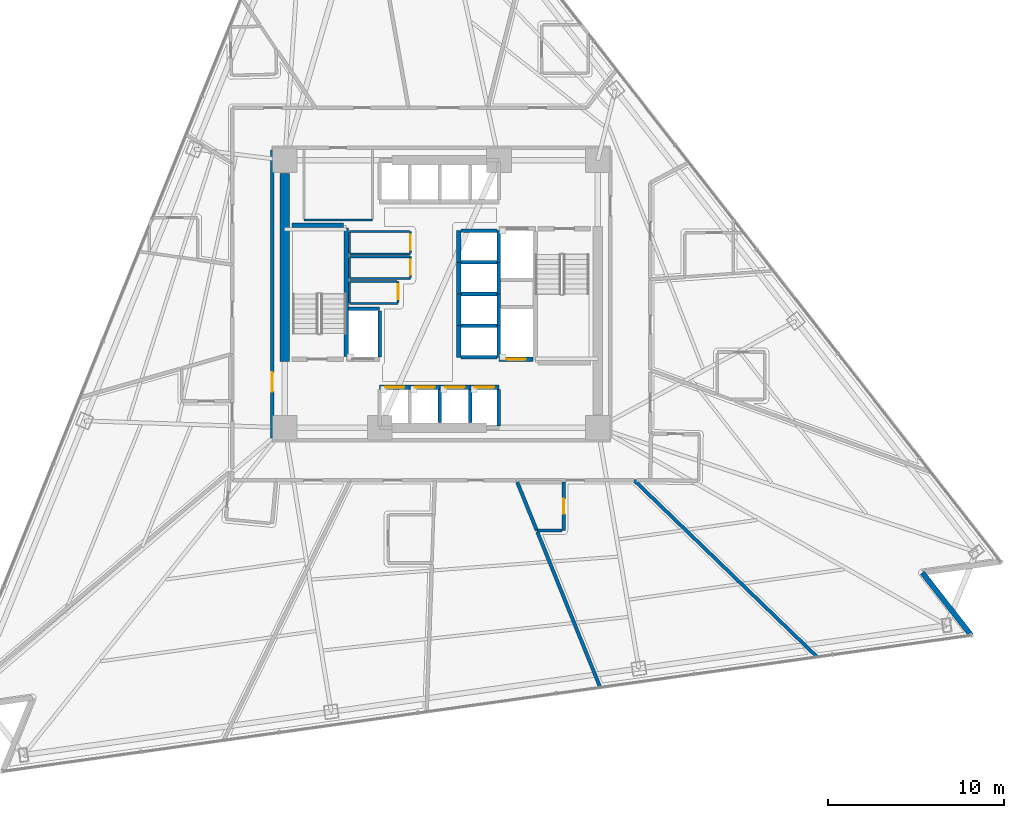
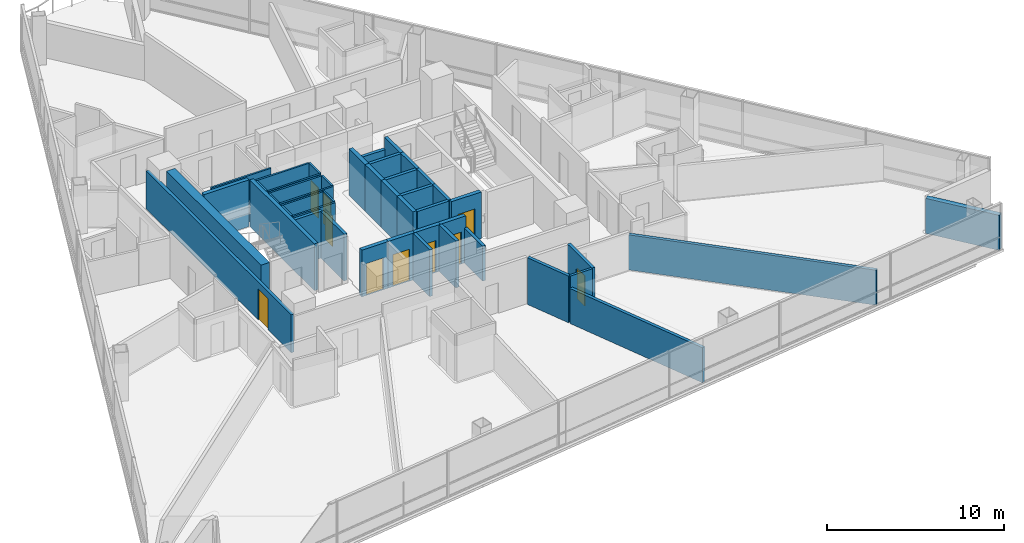
# One storey, part 8 of 15: 46 walls, 10 doors, 10 openings.
"""IFC4 building model written with IfcOpenShell, lengths in metres."""

from ifc_helpers import new_model, si_unit, direction, frame, frame_2d, origin, place, context, subcontext, project, spatial, rectangle, extrude, material, layer, layer_set, type_object, element, fill, save


model = new_model("IFC4")

# Units and contexts
model_context = context("Model", 3, precision=1e-05, world=origin(), true_north=direction((0.0, 1.0)))
body_context = subcontext(model_context, "Body", "Model", "MODEL_VIEW")
ifc_project = project(units=[si_unit("LENGTHUNIT", "METRE"), si_unit("AREAUNIT", "SQUARE_METRE"), si_unit("VOLUMEUNIT", "CUBIC_METRE"), si_unit("PLANEANGLEUNIT", "RADIAN"), si_unit("MASSUNIT", "GRAM", prefix="KILO")], contexts=[model_context])

# Site, building, storey
site_placement = place(None, origin())
site = spatial("IfcSite", under=ifc_project, at=site_placement, CompositionType="ELEMENT")
building_placement = place(site_placement, origin())
building = spatial("IfcBuilding", under=site, at=building_placement, Name="Tharavind Bronze Gate", CompositionType="ELEMENT")
storey_placement = place(building_placement, frame((0.0, 0.0, 60.449951171875)))
storey = spatial("IfcBuildingStorey", under=building, at=storey_placement, Name="L14", CompositionType="ELEMENT", Elevation=60.449951171875)

# Wall
ifc_material_1 = material(Name="Concrete C40/50", Category="concrete")
ifc_layer_1 = layer(ifc_material_1, 0.300048828125)
ifc_layer_set_1 = layer_set([ifc_layer_1], Name="Concrete C40/50")
wall_type_1 = type_object("IfcWallType", Name="EXTERIOR SPANDREL WALL 300", PredefinedType="STANDARD", material=ifc_layer_set_1)
wall_1_placement = place(storey_placement, frame((30.127685546875, -19.399169921875, 0.0), z_axis=(0.0, 0.0, 1.0), x_axis=(-0.615621932091, 0.78804164657, 0.0)))
element("IfcWall", 1, at=wall_1_placement, inside=storey, type_object=wall_type_1, Name="L14 notch cheek wall 3A", PredefinedType="STANDARD", context=body_context, shape_type="SweptSolid", body=[
    extrude(rectangle(XDim=4.5, YDim=0.300048828125, at=frame_2d((2.25, 0.0))), origin(), (0.0, 0.0, 1.0), 2.420166015625),
])

# Wall, opening, door
ifc_material_2 = material(Name="Aerated Concrete Block", Category="concrete")
ifc_layer_2 = layer(ifc_material_2, 0.199951171875)
ifc_layer_set_2 = layer_set([ifc_layer_2], Name="Aerated Concrete Block")
wall_type_2 = type_object("IfcWallType", Name="FIRE RATED PARTITION 200", PredefinedType="PARTITIONING", material=ifc_layer_set_2)
wall_2_placement = place(storey_placement, frame((-9.6201171875, 8.199951171875, 0.0), z_axis=(0.0, 0.0, 1.0), x_axis=(0.0, -1.0, 0.0)))
wall_2 = element("IfcWall", 2, at=wall_2_placement, inside=storey, type_object=wall_type_2, Name="L14 west core corridor wall", PredefinedType="PARTITIONING", context=body_context, shape_type="SweptSolid", body=[
    extrude(rectangle(XDim=16.39990234375, YDim=0.199951171875, at=frame_2d((8.199951171875, 0.0))), origin(), (0.0, 0.0, 1.0), 2.6201171875),
])
opening_1_placement = place(wall_2_placement, frame((12.64990234375, 0.0, 0.0)))
opening_1 = element("IfcOpeningElement", 3, at=opening_1_placement, cuts=wall_2, Name="Opening ID01", PredefinedType="OPENING", context=body_context, shape_type="SweptSolid", body=[
    extrude(rectangle(XDim=1.10009765625, YDim=2.14990234375, at=frame_2d((0.550048828125, 1.074951171875))), frame((0.0, 0.11009765625, 0.0), z_axis=(0.0, -1.0, 0.0), x_axis=(1.0, 0.0, 0.0)), (0.0, 0.0, 1.0), 0.219951171875),
])
ifc_material_3 = material(Name="Fire-Rated Steel", Category="steel")
door_type_1 = type_object("IfcDoorType", Name="STAIR CORE FIRE DOOR 1100X2150", OperationType="SINGLE_SWING_LEFT", PredefinedType="DOOR", material=ifc_material_3)
door_1_placement = place(opening_1_placement, frame((1.10009765625, 0.0, 0.0), z_axis=(0.0, 0.0, 1.0), x_axis=(-1.0, 0.0, 0.0)))
door_1 = element("IfcDoor", 4, at=door_1_placement, inside=storey, type_object=door_type_1, Name="L14 south west stair lobby fire door", OperationType="SINGLE_SWING_LEFT", OverallHeight=2.14990234375, OverallWidth=1.10009765625, PredefinedType="DOOR", context=body_context, shape_type="SweptSolid", body=[
    extrude(rectangle(XDim=1.10009765625, YDim=2.14990234375, at=frame_2d((0.550048828125, 1.074951171875))), frame((0.0, 0.02490234375, 0.0), z_axis=(0.0, -1.0, 0.0), x_axis=(1.0, 0.0, 0.0)), (0.0, 0.0, 1.0), 0.050048828125),
])
fill(opening_1, door_1)

wall_3_placement = place(storey_placement, frame((6.97314453125, -10.699951171875, 0.0), z_axis=(0.0, 0.0, 1.0), x_axis=(0.0, -1.0, 0.0)))
wall_3 = element("IfcWall", 5, at=wall_3_placement, inside=storey, type_object=wall_type_2, Name="L14 En-Suite Bathroom partition", PredefinedType="PARTITIONING", context=body_context, shape_type="SweptSolid", body=[
    extrude(rectangle(XDim=2.75, YDim=0.199951171875, at=frame_2d((1.375, 0.0))), origin(), (0.0, 0.0, 1.0), 3.22509765625),
])
opening_2_placement = place(wall_3_placement, frame((0.949951171875, 0.0, 0.0)))
opening_2 = element("IfcOpeningElement", 6, at=opening_2_placement, cuts=wall_3, Name="Opening ID06", PredefinedType="OPENING", context=body_context, shape_type="SweptSolid", body=[
    extrude(rectangle(XDim=0.85009765625, YDim=2.10009765625, at=frame_2d((0.425048828125, 1.050048828125))), frame((0.0, 0.11009765625, 0.0), z_axis=(0.0, -1.0, 0.0), x_axis=(1.0, 0.0, 0.0)), (0.0, 0.0, 1.0), 0.219951171875),
])
ifc_material_4 = material(Name="Moisture-Resistant Timber", Category="wood")
door_type_2 = type_object("IfcDoorType", Name="BATHROOM PRIVACY DOOR 850X2100", OperationType="SINGLE_SWING_RIGHT", PredefinedType="DOOR", material=ifc_material_4)
door_2_placement = place(opening_2_placement, origin())
door_2 = element("IfcDoor", 7, at=door_2_placement, inside=storey, type_object=door_type_2, Name="L14 En-Suite Bathroom door", OperationType="SINGLE_SWING_RIGHT", OverallHeight=2.10009765625, OverallWidth=0.85009765625, PredefinedType="DOOR", context=body_context, shape_type="SweptSolid", body=[
    extrude(rectangle(XDim=0.85009765625, YDim=2.10009765625, at=frame_2d((0.425048828125, 1.050048828125))), frame((0.0, 0.02490234375, 0.0), z_axis=(0.0, -1.0, 0.0), x_axis=(1.0, 0.0, 0.0)), (0.0, 0.0, 1.0), 0.050048828125),
])
fill(opening_2, door_2)

# Walls
wall_4_placement = place(storey_placement, frame((5.43408203125, -13.449951171875, 0.0), z_axis=(0.0, 0.0, 1.0), x_axis=(-0.374610031927, 0.927182465311, 0.0)))
element("IfcWall", 8, at=wall_4_placement, inside=storey, type_object=wall_type_2, Name="L14 En-Suite Bathroom partition", PredefinedType="PARTITIONING", context=body_context, shape_type="SweptSolid", body=[
    extrude(rectangle(XDim=2.966064453125, YDim=0.199951171875, at=frame_2d((1.48291015625, 0.0))), origin(), (0.0, 0.0, 1.0), 3.22509765625),
])
wall_5_placement = place(storey_placement, frame((5.466552734375, -13.530029296875, 0.0), z_axis=(0.0, 0.0, 1.0), x_axis=(0.374604987926, -0.927184503225, 0.0)))
element("IfcWall", 9, at=wall_5_placement, inside=storey, type_object=wall_type_2, Name="L14 Public Restrooms Block partition", PredefinedType="PARTITIONING", context=body_context, shape_type="SweptSolid", body=[
    extrude(rectangle(XDim=9.52685546875, YDim=0.199951171875, at=frame_2d((4.763427734375, 0.0))), origin(), (0.0, 0.0, 1.0), 2.420166015625),
])
wall_6_placement = place(storey_placement, frame((10.963134765625, -10.5869140625, 0.0), z_axis=(0.0, 0.0, 1.0), x_axis=(0.719333957275, -0.694664421077, 0.0)))
element("IfcWall", 10, at=wall_6_placement, inside=storey, type_object=wall_type_2, Name="L14 Corner Hotel Suite partition", PredefinedType="PARTITIONING", context=body_context, shape_type="SweptSolid", body=[
    extrude(rectangle(XDim=14.458740234375, YDim=0.199951171875, at=frame_2d((7.2294921875, 0.0))), origin(), (0.0, 0.0, 1.0), 2.420166015625),
])
ifc_material_5 = material(Name="Metal Stud Gypsum Partition", Category="gypsum")
ifc_layer_3 = layer(ifc_material_5, 0.1201171875)
ifc_layer_set_3 = layer_set([ifc_layer_3], Name="Metal Stud Gypsum Partition")
wall_type_3 = type_object("IfcWallType", Name="INTERIOR PARTITION WALL 120", PredefinedType="PARTITIONING", material=ifc_layer_set_3)
wall_7_placement = place(storey_placement, frame((-5.219970703125, 2.280029296875, 0.0), z_axis=(0.0, 0.0, 1.0), x_axis=(1.0, 0.0, 0.0)))
element("IfcWall", 11, at=wall_7_placement, inside=storey, type_object=wall_type_3, Name="L14 Housekeeping Linen Store partition 1", PredefinedType="PARTITIONING", context=body_context, shape_type="SweptSolid", body=[
    extrude(rectangle(XDim=3.469970703125, YDim=0.1201171875, at=frame_2d((1.73486328125, 0.0))), origin(), (0.0, 0.0, 1.0), 3.22509765625),
])

# Wall, opening, door
wall_8_placement = place(storey_placement, frame((-1.75, 2.344970703125, 0.0), z_axis=(0.0, 0.0, 1.0), x_axis=(0.0, 1.0, 0.0)))
wall_8 = element("IfcWall", 12, at=wall_8_placement, inside=storey, type_object=wall_type_3, Name="L14 Housekeeping Linen Store partition 2", PredefinedType="PARTITIONING", context=body_context, shape_type="SweptSolid", body=[
    extrude(rectangle(XDim=1.205078125, YDim=0.1201171875, at=frame_2d((0.6025390625, 0.0))), origin(), (0.0, 0.0, 1.0), 3.22509765625),
])
opening_3_placement = place(wall_8_placement, frame((0.177001953125, 0.0, 0.0)))
opening_3 = element("IfcOpeningElement", 13, at=opening_3_placement, cuts=wall_8, Name="Opening ID06", PredefinedType="OPENING", context=body_context, shape_type="SweptSolid", body=[
    extrude(rectangle(XDim=0.85009765625, YDim=2.10009765625, at=frame_2d((0.425048828125, 1.050048828125))), frame((0.0, 0.07005859375, 0.0), z_axis=(0.0, -1.0, 0.0), x_axis=(1.0, 0.0, 0.0)), (0.0, 0.0, 1.0), 0.1401171875),
])
door_3_placement = place(opening_3_placement, frame((0.85009765625, 0.0, 0.0), z_axis=(0.0, 0.0, 1.0), x_axis=(-1.0, 0.0, 0.0)))
door_3 = element("IfcDoor", 14, at=door_3_placement, inside=storey, type_object=door_type_2, Name="L14 Housekeeping Linen Store door", OperationType="SINGLE_SWING_RIGHT", OverallHeight=2.10009765625, OverallWidth=0.85009765625, PredefinedType="DOOR", context=body_context, shape_type="SweptSolid", body=[
    extrude(rectangle(XDim=0.85009765625, YDim=2.10009765625, at=frame_2d((0.425048828125, 1.050048828125))), frame((0.0, 0.02490234375, 0.0), z_axis=(0.0, -1.0, 0.0), x_axis=(1.0, 0.0, 0.0)), (0.0, 0.0, 1.0), 0.050048828125),
])
fill(opening_3, door_3)

# Walls
wall_9_placement = place(storey_placement, frame((-1.81494140625, 3.550048828125, 0.0), z_axis=(0.0, 0.0, 1.0), x_axis=(-1.0, 0.0, 0.0)))
element("IfcWall", 15, at=wall_9_placement, inside=storey, type_object=wall_type_3, Name="L14 Housekeeping Linen Store partition 3", PredefinedType="PARTITIONING", context=body_context, shape_type="SweptSolid", body=[
    extrude(rectangle(XDim=3.405029296875, YDim=0.1201171875, at=frame_2d((1.70263671875, 0.0))), origin(), (0.0, 0.0, 1.0), 3.22509765625),
])
wall_10_placement = place(storey_placement, frame((-5.219970703125, 3.485107421875, 0.0), z_axis=(0.0, 0.0, 1.0), x_axis=(0.0, -1.0, 0.0)))
element("IfcWall", 16, at=wall_10_placement, inside=storey, type_object=wall_type_3, Name="L14 Housekeeping Linen Store partition 4", PredefinedType="PARTITIONING", context=body_context, shape_type="SweptSolid", body=[
    extrude(rectangle(XDim=1.14013671875, YDim=0.1201171875, at=frame_2d((0.570068359375, 0.0))), origin(), (0.0, 0.0, 1.0), 3.22509765625),
])
wall_11_placement = place(storey_placement, frame((-5.219970703125, 0.8798828125, 0.0), z_axis=(0.0, 0.0, 1.0), x_axis=(1.0, 0.0, 0.0)))
element("IfcWall", 17, at=wall_11_placement, inside=storey, type_object=wall_type_3, Name="L14 Comms Data Room partition 1", PredefinedType="PARTITIONING", context=body_context, shape_type="SweptSolid", body=[
    extrude(rectangle(XDim=3.469970703125, YDim=0.1201171875, at=frame_2d((1.73486328125, 0.0))), origin(), (0.0, 0.0, 1.0), 3.22509765625),
])

# Wall, opening, door
wall_12_placement = place(storey_placement, frame((-1.75, 0.945068359375, 0.0), z_axis=(0.0, 0.0, 1.0), x_axis=(0.0, 1.0, 0.0)))
wall_12 = element("IfcWall", 18, at=wall_12_placement, inside=storey, type_object=wall_type_3, Name="L14 Comms Data Room partition 2", PredefinedType="PARTITIONING", context=body_context, shape_type="SweptSolid", body=[
    extrude(rectangle(XDim=1.175048828125, YDim=0.1201171875, at=frame_2d((0.58740234375, 0.0))), origin(), (0.0, 0.0, 1.0), 3.22509765625),
])
opening_4_placement = place(wall_12_placement, frame((0.1630859375, 0.0, 0.0)))
opening_4 = element("IfcOpeningElement", 19, at=opening_4_placement, cuts=wall_12, Name="Opening ID06", PredefinedType="OPENING", context=body_context, shape_type="SweptSolid", body=[
    extrude(rectangle(XDim=0.85009765625, YDim=2.10009765625, at=frame_2d((0.425048828125, 1.050048828125))), frame((0.0, 0.07005859375, 0.0), z_axis=(0.0, -1.0, 0.0), x_axis=(1.0, 0.0, 0.0)), (0.0, 0.0, 1.0), 0.1401171875),
])
door_4_placement = place(opening_4_placement, frame((0.85009765625, 0.0, 0.0), z_axis=(0.0, 0.0, 1.0), x_axis=(-1.0, 0.0, 0.0)))
door_4 = element("IfcDoor", 20, at=door_4_placement, inside=storey, type_object=door_type_2, Name="L14 Comms Data Room door", OperationType="SINGLE_SWING_RIGHT", OverallHeight=2.10009765625, OverallWidth=0.85009765625, PredefinedType="DOOR", context=body_context, shape_type="SweptSolid", body=[
    extrude(rectangle(XDim=0.85009765625, YDim=2.10009765625, at=frame_2d((0.425048828125, 1.050048828125))), frame((0.0, 0.02490234375, 0.0), z_axis=(0.0, -1.0, 0.0), x_axis=(1.0, 0.0, 0.0)), (0.0, 0.0, 1.0), 0.050048828125),
])
fill(opening_4, door_4)

# Walls
wall_13_placement = place(storey_placement, frame((-1.81494140625, 2.1201171875, 0.0), z_axis=(0.0, 0.0, 1.0), x_axis=(-1.0, 0.0, 0.0)))
element("IfcWall", 21, at=wall_13_placement, inside=storey, type_object=wall_type_3, Name="L14 Comms Data Room partition 3", PredefinedType="PARTITIONING", context=body_context, shape_type="SweptSolid", body=[
    extrude(rectangle(XDim=3.405029296875, YDim=0.1201171875, at=frame_2d((1.70263671875, 0.0))), origin(), (0.0, 0.0, 1.0), 3.22509765625),
])
wall_14_placement = place(storey_placement, frame((-5.219970703125, 2.054931640625, 0.0), z_axis=(0.0, 0.0, 1.0), x_axis=(0.0, -1.0, 0.0)))
element("IfcWall", 22, at=wall_14_placement, inside=storey, type_object=wall_type_3, Name="L14 Comms Data Room partition 4", PredefinedType="PARTITIONING", context=body_context, shape_type="SweptSolid", body=[
    extrude(rectangle(XDim=1.10986328125, YDim=0.1201171875, at=frame_2d((0.554931640625, 0.0))), origin(), (0.0, 0.0, 1.0), 3.22509765625),
])
wall_15_placement = place(storey_placement, frame((-5.219970703125, -0.550048828125, 0.0), z_axis=(0.0, 0.0, 1.0), x_axis=(1.0, 0.0, 0.0)))
element("IfcWall", 23, at=wall_15_placement, inside=storey, type_object=wall_type_3, Name="L14 Electrical Metering Store partition 1", PredefinedType="PARTITIONING", context=body_context, shape_type="SweptSolid", body=[
    extrude(rectangle(XDim=2.77001953125, YDim=0.1201171875, at=frame_2d((1.385009765625, 0.0))), origin(), (0.0, 0.0, 1.0), 3.22509765625),
])

# Wall, opening, door
wall_16_placement = place(storey_placement, frame((-2.449951171875, -0.485107421875, 0.0), z_axis=(0.0, 0.0, 1.0), x_axis=(0.0, 1.0, 0.0)))
wall_16 = element("IfcWall", 24, at=wall_16_placement, inside=storey, type_object=wall_type_3, Name="L14 Electrical Metering Store partition 2", PredefinedType="PARTITIONING", context=body_context, shape_type="SweptSolid", body=[
    extrude(rectangle(XDim=1.205078125, YDim=0.1201171875, at=frame_2d((0.6025390625, 0.0))), origin(), (0.0, 0.0, 1.0), 3.22509765625),
])
opening_5_placement = place(wall_16_placement, frame((0.177978515625, 0.0, 0.0)))
opening_5 = element("IfcOpeningElement", 25, at=opening_5_placement, cuts=wall_16, Name="Opening ID06", PredefinedType="OPENING", context=body_context, shape_type="SweptSolid", body=[
    extrude(rectangle(XDim=0.85009765625, YDim=2.10009765625, at=frame_2d((0.425048828125, 1.050048828125))), frame((0.0, 0.07005859375, 0.0), z_axis=(0.0, -1.0, 0.0), x_axis=(1.0, 0.0, 0.0)), (0.0, 0.0, 1.0), 0.1401171875),
])
door_5_placement = place(opening_5_placement, frame((0.85009765625, 0.0, 0.0), z_axis=(0.0, 0.0, 1.0), x_axis=(-1.0, 0.0, 0.0)))
door_5 = element("IfcDoor", 26, at=door_5_placement, inside=storey, type_object=door_type_2, Name="L14 Electrical Metering Store door", OperationType="SINGLE_SWING_RIGHT", OverallHeight=2.10009765625, OverallWidth=0.85009765625, PredefinedType="DOOR", context=body_context, shape_type="SweptSolid", body=[
    extrude(rectangle(XDim=0.85009765625, YDim=2.10009765625, at=frame_2d((0.425048828125, 1.050048828125))), frame((0.0, 0.02490234375, 0.0), z_axis=(0.0, -1.0, 0.0), x_axis=(1.0, 0.0, 0.0)), (0.0, 0.0, 1.0), 0.050048828125),
])
fill(opening_5, door_5)

# Walls
wall_17_placement = place(storey_placement, frame((-2.514892578125, 0.719970703125, 0.0), z_axis=(0.0, 0.0, 1.0), x_axis=(-1.0, 0.0, 0.0)))
element("IfcWall", 27, at=wall_17_placement, inside=storey, type_object=wall_type_3, Name="L14 Electrical Metering Store partition 3", PredefinedType="PARTITIONING", context=body_context, shape_type="SweptSolid", body=[
    extrude(rectangle(XDim=2.705078125, YDim=0.1201171875, at=frame_2d((1.3525390625, 0.0))), origin(), (0.0, 0.0, 1.0), 3.22509765625),
])
wall_18_placement = place(storey_placement, frame((-5.219970703125, 0.655029296875, 0.0), z_axis=(0.0, 0.0, 1.0), x_axis=(0.0, -1.0, 0.0)))
element("IfcWall", 28, at=wall_18_placement, inside=storey, type_object=wall_type_3, Name="L14 Electrical Metering Store partition 4", PredefinedType="PARTITIONING", context=body_context, shape_type="SweptSolid", body=[
    extrude(rectangle(XDim=1.14013671875, YDim=0.1201171875, at=frame_2d((0.570068359375, 0.0))), origin(), (0.0, 0.0, 1.0), 3.22509765625),
])
wall_19_placement = place(storey_placement, frame((-7.800048828125, 4.199951171875, 0.0), z_axis=(0.0, 0.0, 1.0), x_axis=(1.0, 0.0, 0.0)))
element("IfcWall", 29, at=wall_19_placement, inside=storey, type_object=wall_type_3, Name="L14 Electrical Switch Room partition 1", PredefinedType="PARTITIONING", context=body_context, shape_type="SweptSolid", body=[
    extrude(rectangle(XDim=3.900146484375, YDim=0.1201171875, at=frame_2d((1.9501953125, 0.0))), origin(), (0.0, 0.0, 1.0), 3.22509765625),
])
ifc_material_6 = material(Name="Twin Stud Acoustic Gypsum", Category="gypsum")
ifc_layer_4 = layer(ifc_material_6, 0.14990234375)
ifc_layer_set_4 = layer_set([ifc_layer_4], Name="Twin Stud Acoustic Gypsum")
wall_type_4 = type_object("IfcWallType", Name="INTERIOR PARTITION WALL 150", PredefinedType="PARTITIONING", material=ifc_layer_set_4)
wall_20_placement = place(storey_placement, frame((6.8681640625, -13.449951171875, 0.0), z_axis=(0.0, 0.0, 1.0), x_axis=(-1.0, 0.0, 0.0)))
element("IfcWall", 30, at=wall_20_placement, inside=storey, type_object=wall_type_4, Name="L14 En-Suite Bathroom partition", PredefinedType="PARTITIONING", context=body_context, shape_type="SweptSolid", body=[
    extrude(rectangle(XDim=1.43408203125, YDim=0.14990234375, at=frame_2d((0.717041015625, 0.0))), origin(), (0.0, 0.0, 1.0), 3.22509765625),
])
ifc_material_7 = material(Name="Concrete C50/60", Category="concrete")
ifc_layer_5 = layer(ifc_material_7, 0.25)
ifc_layer_set_5 = layer_set([ifc_layer_5], Name="Concrete C50/60")
wall_type_5 = type_object("IfcWallType", Name="RC CORE SHEAR WALL 250", PredefinedType="SHEAR", material=ifc_layer_set_5)
wall_21_placement = place(storey_placement, frame((-5.39990234375, -3.550048828125, 0.0), z_axis=(0.0, 0.0, 1.0), x_axis=(0.0, 1.0, 0.0)))
element("IfcWall", 31, at=wall_21_placement, inside=storey, type_object=wall_type_5, Name="L14 ST1 shaft east wall", PredefinedType="SHEAR", context=body_context, shape_type="SweptSolid", body=[
    extrude(rectangle(XDim=7.300048828125, YDim=0.25, at=frame_2d((3.64990234375, 0.0))), origin(), (0.0, 0.0, 1.0), 3.22509765625),
])
wall_22_placement = place(storey_placement, frame((-8.5, 3.89990234375, 0.0), z_axis=(0.0, 0.0, 1.0), x_axis=(1.0, 0.0, 0.0)))
element("IfcWall", 32, at=wall_22_placement, inside=storey, type_object=wall_type_5, Name="L14 ST1 shaft north wall", PredefinedType="SHEAR", context=body_context, shape_type="SweptSolid", body=[
    extrude(rectangle(XDim=2.949951171875, YDim=0.25, at=frame_2d((1.47509765625, 0.0))), origin(), (0.0, 0.0, 1.0), 3.22509765625),
])

# Wall, opening, door
wall_23_placement = place(storey_placement, frame((-3.5, -5.300048828125, 0.0), z_axis=(0.0, 0.0, 1.0), x_axis=(1.0, 0.0, 0.0)))
wall_23 = element("IfcWall", 33, at=wall_23_placement, inside=storey, type_object=wall_type_5, Name="L14 lift PL1 shaft front wall", PredefinedType="SHEAR", context=body_context, shape_type="SweptSolid", body=[
    extrude(rectangle(XDim=1.71240234375, YDim=0.25, at=frame_2d((0.856201171875, 0.0))), origin(), (0.0, 0.0, 1.0), 3.22509765625),
])
opening_6_placement = place(wall_23_placement, frame((0.305908203125, 0.0, 0.0)))
opening_6 = element("IfcOpeningElement", 34, at=opening_6_placement, cuts=wall_23, Name="Opening LD01", PredefinedType="OPENING", context=body_context, shape_type="SweptSolid", body=[
    extrude(rectangle(XDim=1.10009765625, YDim=2.199951171875, at=frame_2d((0.550048828125, 1.10009765625))), frame((0.0, 0.135, 0.0), z_axis=(0.0, -1.0, 0.0), x_axis=(1.0, 0.0, 0.0)), (0.0, 0.0, 1.0), 0.27),
])
ifc_material_8 = material(Name="Brushed Bronze Stainless Steel", Category="steel")
door_type_3 = type_object("IfcDoorType", Name="LIFT LANDING SLIDING DOOR 1100X2200", OperationType="SLIDING_TO_LEFT", PredefinedType="DOOR", material=ifc_material_8)
door_6_placement = place(opening_6_placement, origin())
door_6 = element("IfcDoor", 35, at=door_6_placement, inside=storey, type_object=door_type_3, Name="L14 lift PL1 sliding landing door", OperationType="SLIDING_TO_LEFT", OverallHeight=2.199951171875, OverallWidth=1.10009765625, PredefinedType="DOOR", context=body_context, shape_type="SweptSolid", body=[
    extrude(rectangle(XDim=1.10009765625, YDim=2.199951171875, at=frame_2d((0.550048828125, 1.10009765625))), frame((0.0, 0.02490234375, 0.0), z_axis=(0.0, -1.0, 0.0), x_axis=(1.0, 0.0, 0.0)), (0.0, 0.0, 1.0), 0.050048828125),
])
fill(opening_6, door_6)

wall_24_placement = place(storey_placement, frame((-1.78759765625, -5.300048828125, 0.0), z_axis=(0.0, 0.0, 1.0), x_axis=(1.0, 0.0, 0.0)))
wall_24 = element("IfcWall", 36, at=wall_24_placement, inside=storey, type_object=wall_type_5, Name="L14 lift PL2 shaft front wall", PredefinedType="SHEAR", context=body_context, shape_type="SweptSolid", body=[
    extrude(rectangle(XDim=1.712646484375, YDim=0.25, at=frame_2d((0.8564453125, 0.0))), origin(), (0.0, 0.0, 1.0), 3.22509765625),
])
opening_7_placement = place(wall_24_placement, frame((0.305908203125, 0.0, 0.0)))
opening_7 = element("IfcOpeningElement", 37, at=opening_7_placement, cuts=wall_24, Name="Opening LD01", PredefinedType="OPENING", context=body_context, shape_type="SweptSolid", body=[
    extrude(rectangle(XDim=1.10009765625, YDim=2.199951171875, at=frame_2d((0.550048828125, 1.10009765625))), frame((0.0, 0.135, 0.0), z_axis=(0.0, -1.0, 0.0), x_axis=(1.0, 0.0, 0.0)), (0.0, 0.0, 1.0), 0.27),
])
door_7_placement = place(opening_7_placement, origin())
door_7 = element("IfcDoor", 38, at=door_7_placement, inside=storey, type_object=door_type_3, Name="L14 lift PL2 sliding landing door", OperationType="SLIDING_TO_LEFT", OverallHeight=2.199951171875, OverallWidth=1.10009765625, PredefinedType="DOOR", context=body_context, shape_type="SweptSolid", body=[
    extrude(rectangle(XDim=1.10009765625, YDim=2.199951171875, at=frame_2d((0.550048828125, 1.10009765625))), frame((0.0, 0.02490234375, 0.0), z_axis=(0.0, -1.0, 0.0), x_axis=(1.0, 0.0, 0.0)), (0.0, 0.0, 1.0), 0.050048828125),
])
fill(opening_7, door_7)

wall_25_placement = place(storey_placement, frame((-0.074951171875, -5.300048828125, 0.0), z_axis=(0.0, 0.0, 1.0), x_axis=(1.0, 0.0, 0.0)))
wall_25 = element("IfcWall", 39, at=wall_25_placement, inside=storey, type_object=wall_type_5, Name="L14 lift PL3 shaft front wall", PredefinedType="SHEAR", context=body_context, shape_type="SweptSolid", body=[
    extrude(rectangle(XDim=1.71240234375, YDim=0.25, at=frame_2d((0.856201171875, 0.0))), origin(), (0.0, 0.0, 1.0), 3.22509765625),
])
opening_8_placement = place(wall_25_placement, frame((0.305908203125, 0.0, 0.0)))
opening_8 = element("IfcOpeningElement", 40, at=opening_8_placement, cuts=wall_25, Name="Opening LD01", PredefinedType="OPENING", context=body_context, shape_type="SweptSolid", body=[
    extrude(rectangle(XDim=1.10009765625, YDim=2.199951171875, at=frame_2d((0.550048828125, 1.10009765625))), frame((0.0, 0.135, 0.0), z_axis=(0.0, -1.0, 0.0), x_axis=(1.0, 0.0, 0.0)), (0.0, 0.0, 1.0), 0.27),
])
door_8_placement = place(opening_8_placement, origin())
door_8 = element("IfcDoor", 41, at=door_8_placement, inside=storey, type_object=door_type_3, Name="L14 lift PL3 sliding landing door", OperationType="SLIDING_TO_LEFT", OverallHeight=2.199951171875, OverallWidth=1.10009765625, PredefinedType="DOOR", context=body_context, shape_type="SweptSolid", body=[
    extrude(rectangle(XDim=1.10009765625, YDim=2.199951171875, at=frame_2d((0.550048828125, 1.10009765625))), frame((0.0, 0.02490234375, 0.0), z_axis=(0.0, -1.0, 0.0), x_axis=(1.0, 0.0, 0.0)), (0.0, 0.0, 1.0), 0.050048828125),
])
fill(opening_8, door_8)

wall_26_placement = place(storey_placement, frame((1.637451171875, -5.300048828125, 0.0), z_axis=(0.0, 0.0, 1.0), x_axis=(1.0, 0.0, 0.0)))
wall_26 = element("IfcWall", 42, at=wall_26_placement, inside=storey, type_object=wall_type_5, Name="L14 lift PL4 shaft front wall", PredefinedType="SHEAR", context=body_context, shape_type="SweptSolid", body=[
    extrude(rectangle(XDim=1.642578125, YDim=0.25, at=frame_2d((0.8212890625, 0.0))), origin(), (0.0, 0.0, 1.0), 3.22509765625),
])
opening_9_placement = place(wall_26_placement, frame((0.27099609375, 0.0, 0.0)))
opening_9 = element("IfcOpeningElement", 43, at=opening_9_placement, cuts=wall_26, Name="Opening LD01", PredefinedType="OPENING", context=body_context, shape_type="SweptSolid", body=[
    extrude(rectangle(XDim=1.10009765625, YDim=2.199951171875, at=frame_2d((0.550048828125, 1.10009765625))), frame((0.0, 0.135, 0.0), z_axis=(0.0, -1.0, 0.0), x_axis=(1.0, 0.0, 0.0)), (0.0, 0.0, 1.0), 0.27),
])
door_9_placement = place(opening_9_placement, origin())
door_9 = element("IfcDoor", 44, at=door_9_placement, inside=storey, type_object=door_type_3, Name="L14 lift PL4 sliding landing door", OperationType="SLIDING_TO_LEFT", OverallHeight=2.199951171875, OverallWidth=1.10009765625, PredefinedType="DOOR", context=body_context, shape_type="SweptSolid", body=[
    extrude(rectangle(XDim=1.10009765625, YDim=2.199951171875, at=frame_2d((0.550048828125, 1.10009765625))), frame((0.0, 0.02490234375, 0.0), z_axis=(0.0, -1.0, 0.0), x_axis=(1.0, 0.0, 0.0)), (0.0, 0.0, 1.0), 0.050048828125),
])
fill(opening_9, door_9)

# Walls
for number, where, z_axis, x_axis, name in (
    (45, (1.0, -3.60009765625, 0.0), (0.0, 0.0, 1.0), (0.0, 1.0, 0.0), "L14 lift PL9 shaft front wall"),
    (46, (1.0, -1.800048828125, 0.0), (0.0, 0.0, 1.0), (0.0, 1.0, 0.0), "L14 lift PL10 shaft front wall"),
    (47, (1.0, 0.0, 0.0), (0.0, 0.0, 1.0), (0.0, 1.0, 0.0), "L14 lift PL11 shaft front wall"),
    (48, (1.0, 1.800048828125, 0.0), (0.0, 0.0, 1.0), (0.0, 1.0, 0.0), "L14 lift PL12 shaft front wall"),
):
    element("IfcWall", number, at=place(storey_placement, frame(where, z_axis=z_axis, x_axis=x_axis)), inside=storey, type_object=wall_type_5, Name=name, PredefinedType="SHEAR", context=body_context, shape_type="SweptSolid", body=[
        extrude(rectangle(XDim=1.800048828125, YDim=0.25, at=frame_2d((0.89990234375, 0.0))), origin(), (0.0, 0.0, 1.0), 3.22509765625),
    ])

# Wall, opening, door
wall_27_placement = place(storey_placement, frame((3.280029296875, -3.699951171875, 0.0), z_axis=(0.0, 0.0, 1.0), x_axis=(1.0, 0.0, 0.0)))
wall_27 = element("IfcWall", 49, at=wall_27_placement, inside=storey, type_object=wall_type_5, Name="L14 lift SVL1 shaft front wall", PredefinedType="SHEAR", context=body_context, shape_type="SweptSolid", body=[
    extrude(rectangle(XDim=1.93994140625, YDim=0.25, at=frame_2d((0.969970703125, 0.0))), origin(), (0.0, 0.0, 1.0), 3.22509765625),
])
opening_10_placement = place(wall_27_placement, frame((0.419921875, 0.0, 0.0)))
opening_10 = element("IfcOpeningElement", 50, at=opening_10_placement, cuts=wall_27, Name="Opening LD01", PredefinedType="OPENING", context=body_context, shape_type="SweptSolid", body=[
    extrude(rectangle(XDim=1.10009765625, YDim=2.199951171875, at=frame_2d((0.550048828125, 1.10009765625))), frame((0.0, 0.135, 0.0), z_axis=(0.0, -1.0, 0.0), x_axis=(1.0, 0.0, 0.0)), (0.0, 0.0, 1.0), 0.27),
])
door_10_placement = place(opening_10_placement, origin())
door_10 = element("IfcDoor", 51, at=door_10_placement, inside=storey, type_object=door_type_3, Name="L14 lift SVL1 sliding landing door", OperationType="SLIDING_TO_LEFT", OverallHeight=2.199951171875, OverallWidth=1.10009765625, PredefinedType="DOOR", context=body_context, shape_type="SweptSolid", body=[
    extrude(rectangle(XDim=1.10009765625, YDim=2.199951171875, at=frame_2d((0.550048828125, 1.10009765625))), frame((0.0, 0.02490234375, 0.0), z_axis=(0.0, -1.0, 0.0), x_axis=(1.0, 0.0, 0.0)), (0.0, 0.0, 1.0), 0.050048828125),
])
fill(opening_10, door_10)

# Walls
ifc_material_9 = material(Name="Concrete C60/75", Category="concrete")
ifc_layer_6 = layer(ifc_material_9, 0.550048828125)
ifc_layer_set_6 = layer_set([ifc_layer_6], Name="Concrete C60/75")
wall_type_6 = type_object("IfcWallType", Name="RC CORE SHEAR WALL 550", PredefinedType="SHEAR", material=ifc_layer_set_6)
wall_28_placement = place(storey_placement, frame((-8.89990234375, -3.85009765625, 0.0), z_axis=(0.0, 0.0, 1.0), x_axis=(0.0, 1.0, 0.0)))
element("IfcWall", 52, at=wall_28_placement, inside=storey, type_object=wall_type_6, Name="L14 west core shear wall", PredefinedType="SHEAR", context=body_context, shape_type="SweptSolid", body=[
    extrude(rectangle(XDim=10.7001953125, YDim=0.550048828125, at=frame_2d((5.35009765625, 0.0))), origin(), (0.0, 0.0, 1.0), 3.22509765625),
])
ifc_layer_7 = layer(ifc_material_1, 0.199951171875)
ifc_layer_set_7 = layer_set([ifc_layer_7], Name="Concrete C40/50")
wall_type_7 = type_object("IfcWallType", Name="SHAFT ENCLOSURE WALL 200", PredefinedType="PARTITIONING", material=ifc_layer_set_7)
for number, where, z_axis, x_axis, name in (
    (53, (-0.074951171875, -7.320068359375, 0.0), (0.0, 0.0, 1.0), (0.0, 1.0, 0.0), "L14 lift PL2 shaft E enclosure wall"),
    (54, (1.637451171875, -7.320068359375, 0.0), (0.0, 0.0, 1.0), (0.0, 1.0, 0.0), "L14 lift PL3 shaft E enclosure wall"),
):
    element("IfcWall", number, at=place(storey_placement, frame(where, z_axis=z_axis, x_axis=x_axis)), inside=storey, type_object=wall_type_7, Name=name, PredefinedType="PARTITIONING", context=body_context, shape_type="SweptSolid", body=[
        extrude(rectangle(XDim=1.89013671875, YDim=0.199951171875, at=frame_2d((0.945068359375, 0.0))), origin(), (0.0, 0.0, 1.0), 3.22509765625),
    ])
wall_29_placement = place(storey_placement, frame((3.280029296875, -7.4951171875, 0.0), z_axis=(0.0, 0.0, 1.0), x_axis=(0.0, 1.0, 0.0)))
element("IfcWall", 55, at=wall_29_placement, inside=storey, type_object=wall_type_7, Name="L14 lift PL4 shaft E enclosure wall", PredefinedType="PARTITIONING", context=body_context, shape_type="SweptSolid", body=[
    extrude(rectangle(XDim=2.065185546875, YDim=0.199951171875, at=frame_2d((1.03271484375, 0.0))), origin(), (0.0, 0.0, 1.0), 2.420166015625),
])
wall_30_placement = place(storey_placement, frame((3.280029296875, -3.60009765625, 0.0), z_axis=(0.0, 0.0, 1.0), x_axis=(0.0, 1.0, 0.0)))
element("IfcWall", 56, at=wall_30_placement, inside=storey, type_object=wall_type_7, Name="L14 lift PL9 shaft E enclosure wall", PredefinedType="PARTITIONING", context=body_context, shape_type="SweptSolid", body=[
    extrude(rectangle(XDim=1.800048828125, YDim=0.199951171875, at=frame_2d((0.89990234375, 0.0))), origin(), (0.0, 0.0, 1.0), 3.22509765625),
])
for number, where, z_axis, x_axis, name in (
    (57, (1.1298828125, -3.60009765625, 0.0), (0.0, 0.0, 1.0), (1.0, 0.0, 0.0), "L14 lift PL9 shaft S enclosure wall"),
    (58, (1.1298828125, -1.800048828125, 0.0), (0.0, 0.0, 1.0), (1.0, 0.0, 0.0), "L14 lift PL9 shaft N enclosure wall"),
):
    element("IfcWall", number, at=place(storey_placement, frame(where, z_axis=z_axis, x_axis=x_axis)), inside=storey, type_object=wall_type_7, Name=name, PredefinedType="PARTITIONING", context=body_context, shape_type="SweptSolid", body=[
        extrude(rectangle(XDim=2.045166015625, YDim=0.199951171875, at=frame_2d((1.0224609375, 0.0))), origin(), (0.0, 0.0, 1.0), 3.22509765625),
    ])
wall_31_placement = place(storey_placement, frame((3.280029296875, -1.800048828125, 0.0), z_axis=(0.0, 0.0, 1.0), x_axis=(0.0, 1.0, 0.0)))
element("IfcWall", 59, at=wall_31_placement, inside=storey, type_object=wall_type_7, Name="L14 lift PL10 shaft E enclosure wall", PredefinedType="PARTITIONING", context=body_context, shape_type="SweptSolid", body=[
    extrude(rectangle(XDim=1.800048828125, YDim=0.199951171875, at=frame_2d((0.89990234375, 0.0))), origin(), (0.0, 0.0, 1.0), 3.22509765625),
])
wall_32_placement = place(storey_placement, frame((1.1298828125, 0.0, 0.0), z_axis=(0.0, 0.0, 1.0), x_axis=(1.0, 0.0, 0.0)))
element("IfcWall", 60, at=wall_32_placement, inside=storey, type_object=wall_type_7, Name="L14 lift PL10 shaft N enclosure wall", PredefinedType="PARTITIONING", context=body_context, shape_type="SweptSolid", body=[
    extrude(rectangle(XDim=2.045166015625, YDim=0.199951171875, at=frame_2d((1.0224609375, 0.0))), origin(), (0.0, 0.0, 1.0), 3.22509765625),
])
wall_33_placement = place(storey_placement, frame((3.280029296875, 0.0, 0.0), z_axis=(0.0, 0.0, 1.0), x_axis=(0.0, 1.0, 0.0)))
element("IfcWall", 61, at=wall_33_placement, inside=storey, type_object=wall_type_7, Name="L14 lift PL11 shaft E enclosure wall", PredefinedType="PARTITIONING", context=body_context, shape_type="SweptSolid", body=[
    extrude(rectangle(XDim=1.800048828125, YDim=0.199951171875, at=frame_2d((0.89990234375, 0.0))), origin(), (0.0, 0.0, 1.0), 3.22509765625),
])
wall_34_placement = place(storey_placement, frame((1.1298828125, 1.800048828125, 0.0), z_axis=(0.0, 0.0, 1.0), x_axis=(1.0, 0.0, 0.0)))
element("IfcWall", 62, at=wall_34_placement, inside=storey, type_object=wall_type_7, Name="L14 lift PL11 shaft N enclosure wall", PredefinedType="PARTITIONING", context=body_context, shape_type="SweptSolid", body=[
    extrude(rectangle(XDim=2.045166015625, YDim=0.199951171875, at=frame_2d((1.0224609375, 0.0))), origin(), (0.0, 0.0, 1.0), 3.22509765625),
])
wall_35_placement = place(storey_placement, frame((3.280029296875, 1.800048828125, 0.0), z_axis=(0.0, 0.0, 1.0), x_axis=(0.0, 1.0, 0.0)))
element("IfcWall", 63, at=wall_35_placement, inside=storey, type_object=wall_type_7, Name="L14 lift PL12 shaft E enclosure wall", PredefinedType="PARTITIONING", context=body_context, shape_type="SweptSolid", body=[
    extrude(rectangle(XDim=1.800048828125, YDim=0.199951171875, at=frame_2d((0.89990234375, 0.0))), origin(), (0.0, 0.0, 1.0), 3.22509765625),
])
wall_36_placement = place(storey_placement, frame((1.1298828125, 3.60009765625, 0.0), z_axis=(0.0, 0.0, 1.0), x_axis=(1.0, 0.0, 0.0)))
element("IfcWall", 64, at=wall_36_placement, inside=storey, type_object=wall_type_7, Name="L14 lift PL12 shaft N enclosure wall", PredefinedType="PARTITIONING", context=body_context, shape_type="SweptSolid", body=[
    extrude(rectangle(XDim=2.045166015625, YDim=0.199951171875, at=frame_2d((1.0224609375, 0.0))), origin(), (0.0, 0.0, 1.0), 2.420166015625),
])
wall_37_placement = place(storey_placement, frame((-5.27001953125, -0.85009765625, 0.0), z_axis=(0.0, 0.0, 1.0), x_axis=(1.0, 0.0, 0.0)))
element("IfcWall", 65, at=wall_37_placement, inside=storey, type_object=wall_type_7, Name="L14 lift FFL1 shaft N enclosure wall", PredefinedType="PARTITIONING", context=body_context, shape_type="SweptSolid", body=[
    extrude(rectangle(XDim=1.77001953125, YDim=0.199951171875, at=frame_2d((0.885009765625, 0.0))), origin(), (0.0, 0.0, 1.0), 3.22509765625),
])
wall_38_placement = place(storey_placement, frame((-3.5, -3.570068359375, 0.0), z_axis=(0.0, 0.0, 1.0), x_axis=(0.0, 1.0, 0.0)))
element("IfcWall", 66, at=wall_38_placement, inside=storey, type_object=wall_type_7, Name="L14 lift FFL1 shaft E enclosure wall", PredefinedType="PARTITIONING", context=body_context, shape_type="SweptSolid", body=[
    extrude(rectangle(XDim=2.614990234375, YDim=0.199951171875, at=frame_2d((1.3076171875, 0.0))), origin(), (0.0, 0.0, 1.0), 3.22509765625),
])

save(model, "model.ifc")
